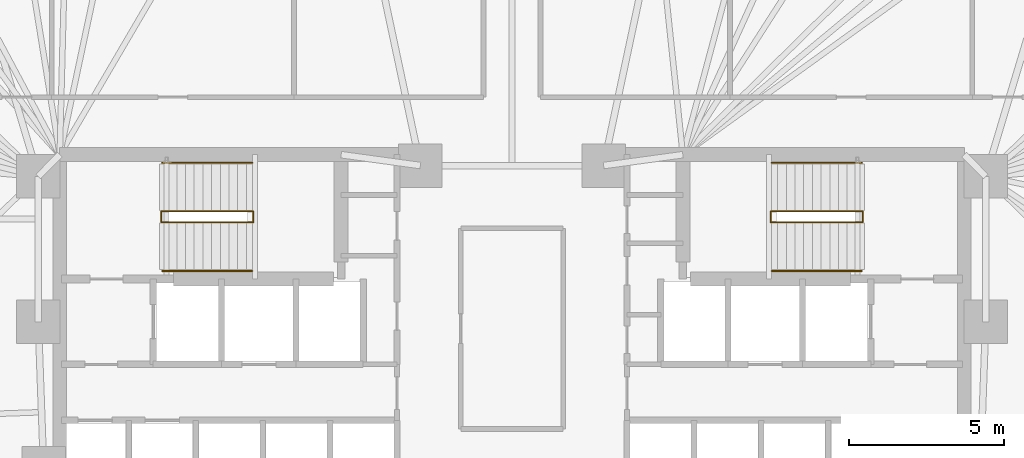
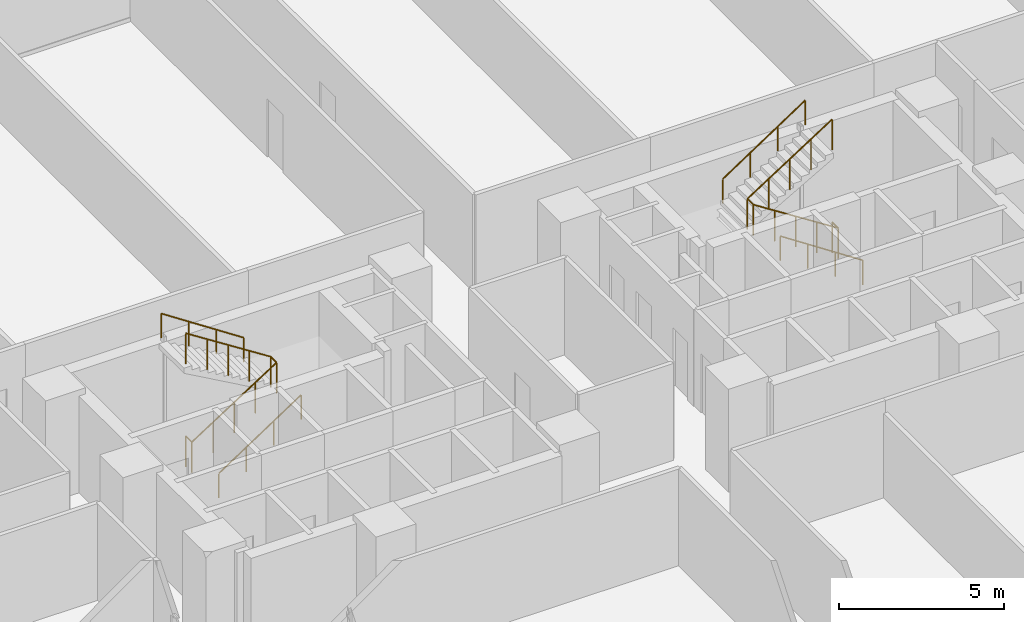
# One storey, part 17 of 17: 6 railings.
"""IFC4 building model written with IfcOpenShell, lengths in metres."""

from ifc_helpers import new_model, si_unit, direction, frame, origin, origin_2d, place, context, subcontext, project, spatial, circle, extrude, material, type_object, element, save


model = new_model("IFC4")

# Units and contexts
model_context = context("Model", 3, precision=1e-05, world=origin(), true_north=direction((0.0, 1.0)))
body_context = subcontext(model_context, "Body", "Model", "MODEL_VIEW")
ifc_project = project(units=[si_unit("LENGTHUNIT", "METRE"), si_unit("AREAUNIT", "SQUARE_METRE"), si_unit("VOLUMEUNIT", "CUBIC_METRE"), si_unit("PLANEANGLEUNIT", "RADIAN"), si_unit("MASSUNIT", "GRAM", prefix="KILO")], contexts=[model_context])

# Site, building, storey
site_placement = place(None, origin())
site = spatial("IfcSite", under=ifc_project, at=site_placement, CompositionType="ELEMENT")
building_placement = place(site_placement, origin())
building = spatial("IfcBuilding", under=site, at=building_placement, Name="Menara Jurai Vektor", CompositionType="ELEMENT")
storey_placement = place(building_placement, frame((0.0, 0.0, 63.60009765625)))
storey = spatial("IfcBuildingStorey", under=building, at=storey_placement, Name="L15", CompositionType="ELEMENT", Elevation=63.60009765625)

# Railings
ifc_material_1 = material(Name="Painted Galvanised Steel Balustrade", Category="steel")
railing_type_1 = type_object("IfcRailingType", Name="RAIL-STAIR-GUARD", PredefinedType="GUARDRAIL", material=ifc_material_1)
railing_1_placement = place(storey_placement, frame((-11.2900390625, 3.780029296875, 0.0)))
element("IfcRailing", 1, at=railing_1_placement, inside=storey, type_object=railing_type_1, Name="ST1 Stair Guardrail 1 L15", PredefinedType="GUARDRAIL", context=body_context, shape_type="SweptSolid", body=[
    extrude(circle(Radius=0.02392578125, at=origin_2d()), frame((0.0, 0.0, 1.1259765625), z_axis=(0.0, -1.0, 0.0), x_axis=(1.0, 0.0, 0.0)), (0.0, 0.0, 1.0), 0.360107421875),
    extrude(circle(Radius=0.02392578125, at=origin_2d()), frame((0.0, -0.360107421875, 1.1259765625), z_axis=(0.841557155905, 0.0, 0.540168078791), x_axis=(0.0, 1.0, 0.0)), (0.0, 0.0, 1.0), 3.517333984375),
    extrude(circle(Radius=0.02392578125, at=origin_2d()), frame((2.9599609375, -0.360107421875, 3.02587890625), z_axis=(0.0, 1.0, 0.0), x_axis=(-1.0, 0.0, 0.0)), (0.0, 0.0, 1.0), 0.360107421875),
    extrude(circle(Radius=0.02392578125, at=origin_2d()), frame((2.9599609375, 0.0, 3.02587890625), z_axis=(-0.841557155905, 0.0, 0.540168078791), x_axis=(0.0, -1.0, 0.0)), (0.0, 0.0, 1.0), 3.517333984375),
    extrude(circle(Radius=0.02099609375, at=origin_2d()), origin(), (0.0, 0.0, 1.0), 1.101806640625),
    extrude(circle(Radius=0.02099609375, at=origin_2d()), frame((0.0, -0.360107421875, 0.0)), (0.0, 0.0, 1.0), 1.101806640625),
    extrude(circle(Radius=0.02099609375, at=origin_2d()), frame((0.739990234375, -0.360107421875, 0.47509765625)), (0.0, 0.0, 1.0), 1.101806640625),
    extrude(circle(Radius=0.02099609375, at=origin_2d()), frame((1.47998046875, -0.360107421875, 0.949951171875)), (0.0, 0.0, 1.0), 1.101806640625),
    extrude(circle(Radius=0.02099609375, at=origin_2d()), frame((2.219970703125, -0.360107421875, 1.4248046875)), (0.0, 0.0, 1.0), 1.101806640625),
    extrude(circle(Radius=0.02099609375, at=origin_2d()), frame((2.9599609375, -0.360107421875, 1.89990234375)), (0.0, 0.0, 1.0), 1.101806640625),
    extrude(circle(Radius=0.02099609375, at=origin_2d()), frame((2.9599609375, 0.0, 1.89990234375)), (0.0, 0.0, 1.0), 1.101806640625),
    extrude(circle(Radius=0.02099609375, at=origin_2d()), frame((2.219970703125, 0.0, 2.375)), (0.0, 0.0, 1.0), 1.101806640625),
    extrude(circle(Radius=0.02099609375, at=origin_2d()), frame((1.47998046875, 0.0, 2.849853515625)), (0.0, 0.0, 1.0), 1.101806640625),
    extrude(circle(Radius=0.02099609375, at=origin_2d()), frame((0.739990234375, 0.0, 3.32470703125)), (0.0, 0.0, 1.0), 1.101806640625),
    extrude(circle(Radius=0.02099609375, at=origin_2d()), frame((0.0, 0.0, 3.7998046875)), (0.0, 0.0, 1.0), 1.101806640625),
])
railing_2_placement = place(storey_placement, frame((11.2900390625, 3.780029296875, 0.0)))
element("IfcRailing", 2, at=railing_2_placement, inside=storey, type_object=railing_type_1, Name="ST2 Stair Guardrail 1 L15", PredefinedType="GUARDRAIL", context=body_context, shape_type="SweptSolid", body=[
    extrude(circle(Radius=0.02392578125, at=origin_2d()), frame((0.0, 0.0, 1.1259765625), z_axis=(0.0, -1.0, 0.0), x_axis=(1.0, 0.0, 0.0)), (0.0, 0.0, 1.0), 0.360107421875),
    extrude(circle(Radius=0.02392578125, at=origin_2d()), frame((0.0, -0.360107421875, 1.1259765625), z_axis=(-0.841557155905, 0.0, 0.540168078791), x_axis=(0.0, -1.0, 0.0)), (0.0, 0.0, 1.0), 3.517333984375),
    extrude(circle(Radius=0.02392578125, at=origin_2d()), frame((-2.9599609375, -0.360107421875, 3.02587890625), z_axis=(0.0, 1.0, 0.0), x_axis=(-1.0, 0.0, 0.0)), (0.0, 0.0, 1.0), 0.360107421875),
    extrude(circle(Radius=0.02392578125, at=origin_2d()), frame((-2.9599609375, 0.0, 3.02587890625), z_axis=(0.841557155905, 0.0, 0.540168078791), x_axis=(0.0, 1.0, 0.0)), (0.0, 0.0, 1.0), 3.517333984375),
    extrude(circle(Radius=0.02099609375, at=origin_2d()), origin(), (0.0, 0.0, 1.0), 1.101806640625),
    extrude(circle(Radius=0.02099609375, at=origin_2d()), frame((0.0, -0.360107421875, 0.0)), (0.0, 0.0, 1.0), 1.101806640625),
    extrude(circle(Radius=0.02099609375, at=origin_2d()), frame((-0.739990234375, -0.360107421875, 0.47509765625)), (0.0, 0.0, 1.0), 1.101806640625),
    extrude(circle(Radius=0.02099609375, at=origin_2d()), frame((-1.47998046875, -0.360107421875, 0.949951171875)), (0.0, 0.0, 1.0), 1.101806640625),
    extrude(circle(Radius=0.02099609375, at=origin_2d()), frame((-2.219970703125, -0.360107421875, 1.4248046875)), (0.0, 0.0, 1.0), 1.101806640625),
    extrude(circle(Radius=0.02099609375, at=origin_2d()), frame((-2.9599609375, -0.360107421875, 1.89990234375)), (0.0, 0.0, 1.0), 1.101806640625),
    extrude(circle(Radius=0.02099609375, at=origin_2d()), frame((-2.9599609375, 0.0, 1.89990234375)), (0.0, 0.0, 1.0), 1.101806640625),
    extrude(circle(Radius=0.02099609375, at=origin_2d()), frame((-2.219970703125, 0.0, 2.375)), (0.0, 0.0, 1.0), 1.101806640625),
    extrude(circle(Radius=0.02099609375, at=origin_2d()), frame((-1.47998046875, 0.0, 2.849853515625)), (0.0, 0.0, 1.0), 1.101806640625),
    extrude(circle(Radius=0.02099609375, at=origin_2d()), frame((-0.739990234375, 0.0, 3.32470703125)), (0.0, 0.0, 1.0), 1.101806640625),
    extrude(circle(Radius=0.02099609375, at=origin_2d()), frame((0.0, 0.0, 3.7998046875)), (0.0, 0.0, 1.0), 1.101806640625),
])
ifc_material_2 = material(Name="Brushed Stainless Steel Handrail", Category="steel")
railing_type_2 = type_object("IfcRailingType", Name="RAIL-STAIR-HAND", PredefinedType="HANDRAIL", material=ifc_material_2)
railing_3_placement = place(storey_placement, frame((-11.25, 1.860107421875, 0.0)))
element("IfcRailing", 3, at=railing_3_placement, inside=storey, type_object=railing_type_2, Name="ST1 Stair Handrail 1 L15", PredefinedType="HANDRAIL", context=body_context, shape_type="SweptSolid", body=[
    extrude(circle(Radius=0.02392578125, at=origin_2d()), frame((0.0, 0.0, 0.89599609375), z_axis=(0.834718698933, 0.0, 0.550676578085), x_axis=(0.0, 1.0, 0.0)), (0.0, 0.0, 1.0), 3.4501953125),
    extrude(circle(Radius=0.02099609375, at=origin_2d()), origin(), (0.0, 0.0, 1.0), 0.871826171875),
    extrude(circle(Radius=0.02099609375, at=origin_2d()), frame((0.9599609375, 0.0, 0.63330078125)), (0.0, 0.0, 1.0), 0.871826171875),
    extrude(circle(Radius=0.02099609375, at=origin_2d()), frame((1.919921875, 0.0, 1.2666015625)), (0.0, 0.0, 1.0), 0.871826171875),
    extrude(circle(Radius=0.02099609375, at=origin_2d()), frame((2.8798828125, 0.0, 1.89990234375)), (0.0, 0.0, 1.0), 0.871826171875),
])
for number, where, name in (
    (4, (-8.3701171875, 5.340087890625, 1.89990234375), "ST1 Stair Handrail 2 L15"),
    (5, (11.25, 1.860107421875, 0.0), "ST2 Stair Handrail 1 L15"),
):
    element("IfcRailing", number, at=place(storey_placement, frame(where)), inside=storey, type_object=railing_type_2, Name=name, PredefinedType="HANDRAIL", context=body_context, shape_type="SweptSolid", body=[
        extrude(circle(Radius=0.02392578125, at=origin_2d()), frame((0.0, 0.0, 0.89599609375), z_axis=(-0.834718698933, 0.0, 0.550676578085), x_axis=(0.0, -1.0, 0.0)), (0.0, 0.0, 1.0), 3.4501953125),
        extrude(circle(Radius=0.02099609375, at=origin_2d()), origin(), (0.0, 0.0, 1.0), 0.871826171875),
        extrude(circle(Radius=0.02099609375, at=origin_2d()), frame((-0.9599609375, 0.0, 0.63330078125)), (0.0, 0.0, 1.0), 0.871826171875),
        extrude(circle(Radius=0.02099609375, at=origin_2d()), frame((-1.919921875, 0.0, 1.2666015625)), (0.0, 0.0, 1.0), 0.871826171875),
        extrude(circle(Radius=0.02099609375, at=origin_2d()), frame((-2.8798828125, 0.0, 1.89990234375)), (0.0, 0.0, 1.0), 0.871826171875),
    ])
railing_4_placement = place(storey_placement, frame((8.3701171875, 5.340087890625, 1.89990234375)))
element("IfcRailing", 6, at=railing_4_placement, inside=storey, type_object=railing_type_2, Name="ST2 Stair Handrail 2 L15", PredefinedType="HANDRAIL", context=body_context, shape_type="SweptSolid", body=[
    extrude(circle(Radius=0.02392578125, at=origin_2d()), frame((0.0, 0.0, 0.89599609375), z_axis=(0.834718698933, 0.0, 0.550676578085), x_axis=(0.0, 1.0, 0.0)), (0.0, 0.0, 1.0), 3.4501953125),
    extrude(circle(Radius=0.02099609375, at=origin_2d()), origin(), (0.0, 0.0, 1.0), 0.871826171875),
    extrude(circle(Radius=0.02099609375, at=origin_2d()), frame((0.9599609375, 0.0, 0.63330078125)), (0.0, 0.0, 1.0), 0.871826171875),
    extrude(circle(Radius=0.02099609375, at=origin_2d()), frame((1.919921875, 0.0, 1.2666015625)), (0.0, 0.0, 1.0), 0.871826171875),
    extrude(circle(Radius=0.02099609375, at=origin_2d()), frame((2.8798828125, 0.0, 1.89990234375)), (0.0, 0.0, 1.0), 0.871826171875),
])

save(model, "model.ifc")
